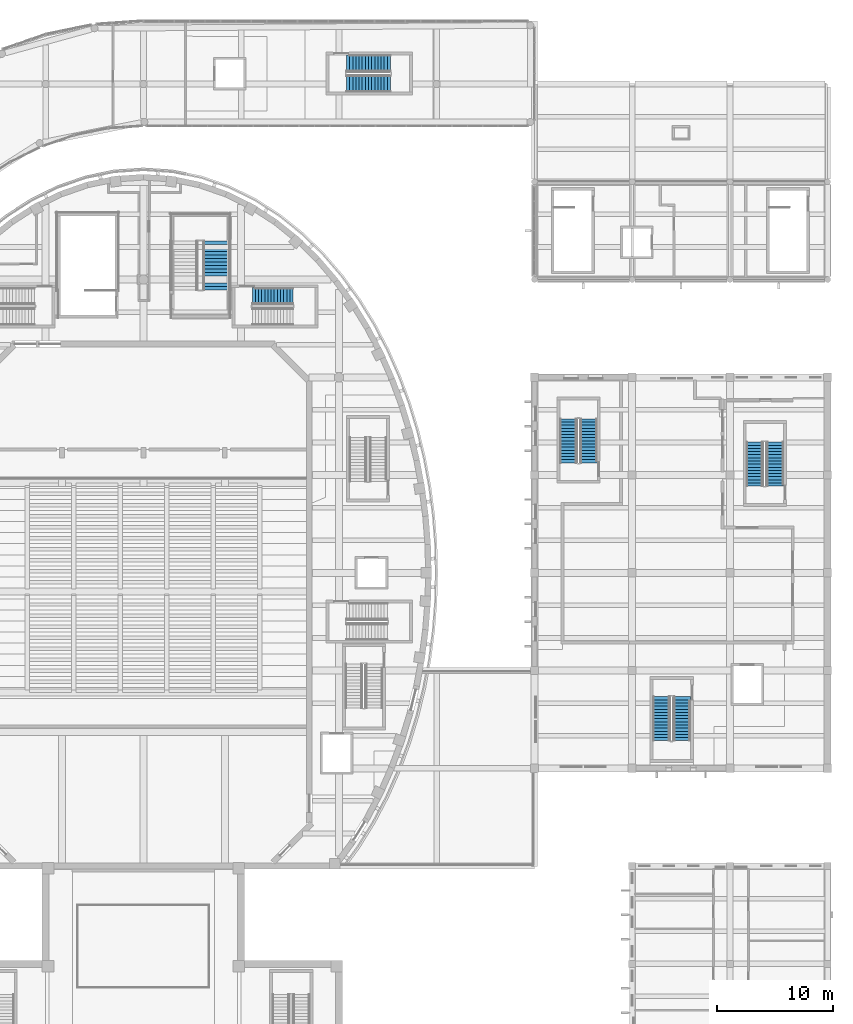
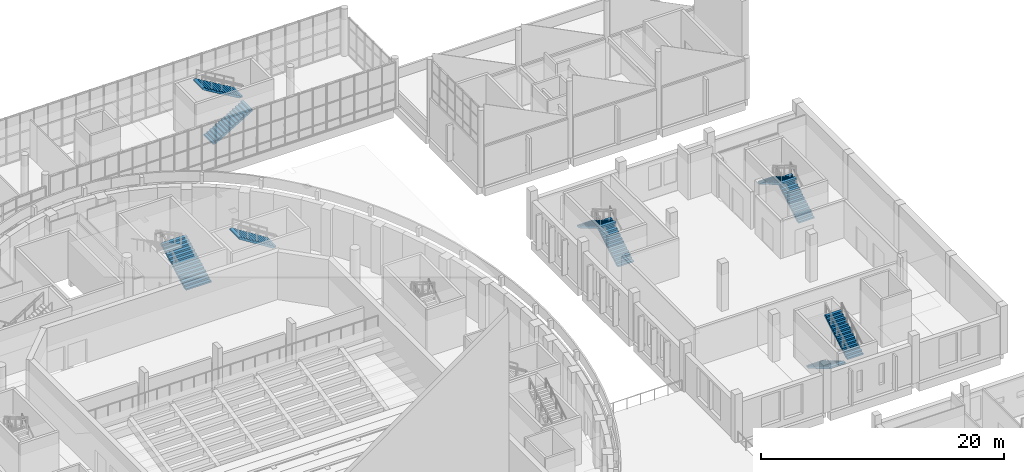
# One storey, part 74 of 119: 10 stair flights, 6 elements without a shape of their own.
"""IFC4 building model written with IfcOpenShell, lengths in metres."""

from ifc_helpers import new_model, si_unit, direction, frame, origin, place, context, subcontext, project, spatial, polyline, outline, extrude, material, type_object, element, aggregate, save


model = new_model("IFC4")

# Units and contexts
model_context = context("Model", 3, precision=1e-05, world=origin(), true_north=direction((0.0, 1.0)))
body_context = subcontext(model_context, "Body", "Model", "MODEL_VIEW")
ifc_project = project(units=[si_unit("LENGTHUNIT", "METRE"), si_unit("AREAUNIT", "SQUARE_METRE"), si_unit("VOLUMEUNIT", "CUBIC_METRE"), si_unit("PLANEANGLEUNIT", "RADIAN"), si_unit("MASSUNIT", "GRAM", prefix="KILO")], contexts=[model_context])

# Site, building, storey
site_placement = place(None, origin())
site = spatial("IfcSite", under=ifc_project, at=site_placement, CompositionType="ELEMENT")
building_placement = place(site_placement, origin())
building = spatial("IfcBuilding", under=site, at=building_placement, Name="Larchfold Concert Hall", CompositionType="ELEMENT")
storey_placement = place(building_placement, frame((0.0, 0.0, 4.800048828125)))
storey = spatial("IfcBuildingStorey", under=building, at=storey_placement, Name="L01", CompositionType="ELEMENT", Elevation=4.800048828125)

# Stair, stair flights
ifc_material_1 = material(Name="Concrete C35/45", Category="concrete")
stair_type_1 = type_object("IfcStairType", Name="Stair RC half-turn enclosed", PredefinedType="HALF_TURN_STAIR", material=ifc_material_1)
stair_1_placement = place(storey_placement, origin())
stair_1 = element("IfcStair", 1, at=stair_1_placement, inside=storey, type_object=stair_type_1, Name="Stair CH1", PredefinedType="HALF_TURN_STAIR")
ifc_material_2 = material(Name="Concrete C35/45", Category="concrete")
stair_flight_type_1 = type_object("IfcStairFlightType", Name="Stair flight RC 1500 x 160.0", PredefinedType="STRAIGHT", material=ifc_material_2)
stair_flight_1_placement = place(storey_placement, frame((87.14990234375, 73.949951171875, 0.0), z_axis=(0.0, 0.0, 1.0), x_axis=(0.0, -1.0, 0.0)))
stair_flight_1 = element("IfcStairFlight", 2, at=stair_flight_1_placement, type_object=stair_flight_type_1, Name="ST16 flight 1", NumberOfRisers=15, NumberOfTreads=14, PredefinedType="STRAIGHT", RiserHeight=0.16, TreadLength=0.27, context=body_context, shape_type="SweptSolid", body=[
    extrude(outline(polyline([(0.0, 0.0), (0.0, 0.159912109375), (0.27001953125, 0.159912109375), (0.27001953125, 0.320068359375), (0.5400390625, 0.320068359375), (0.5400390625, 0.47998046875), (0.81005859375, 0.47998046875), (0.81005859375, 0.639892578125), (1.080078125, 0.639892578125), (1.080078125, 0.800048828125), (1.35009765625, 0.800048828125), (1.35009765625, 0.9599609375), (1.6201171875, 0.9599609375), (1.6201171875, 1.1201171875), (1.889892578125, 1.1201171875), (1.889892578125, 1.280029296875), (2.159912109375, 1.280029296875), (2.159912109375, 1.43994140625), (2.429931640625, 1.43994140625), (2.429931640625, 1.60009765625), (2.699951171875, 1.60009765625), (2.699951171875, 1.760009765625), (2.969970703125, 1.760009765625), (2.969970703125, 1.919921875), (3.239990234375, 1.919921875), (3.239990234375, 2.080078125), (3.510009765625, 2.080078125), (3.510009765625, 2.239990234375), (3.780029296875, 2.239990234375), (3.780029296875, 2.39990234375), (3.780029296875, 2.065673828125), (0.2939453125, 0.0), (0.0, 0.0)])), frame((0.0, 0.75, 0.0), z_axis=(0.0, -1.0, 0.0), x_axis=(1.0, 0.0, 0.0)), (0.0, 0.0, 1.0), 1.5),
])
stair_flight_2_placement = place(storey_placement, frame((88.849853515625, 70.169921875, 2.39990234375), z_axis=(0.0, 0.0, 1.0), x_axis=(0.0, 1.0, 0.0)))
stair_flight_2 = element("IfcStairFlight", 3, at=stair_flight_2_placement, type_object=stair_flight_type_1, Name="ST16 flight 2", NumberOfRisers=15, NumberOfTreads=14, PredefinedType="STRAIGHT", RiserHeight=0.16, TreadLength=0.27, context=body_context, shape_type="SweptSolid", body=[
    extrude(outline(polyline([(0.0, 0.0), (0.0, 0.159912109375), (0.27001953125, 0.159912109375), (0.27001953125, 0.320068359375), (0.5400390625, 0.320068359375), (0.5400390625, 0.47998046875), (0.81005859375, 0.47998046875), (0.81005859375, 0.639892578125), (1.080078125, 0.639892578125), (1.080078125, 0.800048828125), (1.35009765625, 0.800048828125), (1.35009765625, 0.9599609375), (1.6201171875, 0.9599609375), (1.6201171875, 1.1201171875), (1.889892578125, 1.1201171875), (1.889892578125, 1.280029296875), (2.159912109375, 1.280029296875), (2.159912109375, 1.43994140625), (2.429931640625, 1.43994140625), (2.429931640625, 1.60009765625), (2.699951171875, 1.60009765625), (2.699951171875, 1.760009765625), (2.969970703125, 1.760009765625), (2.969970703125, 1.919921875), (3.239990234375, 1.919921875), (3.239990234375, 2.080078125), (3.510009765625, 2.080078125), (3.510009765625, 2.239990234375), (3.780029296875, 2.239990234375), (3.780029296875, 2.39990234375), (3.780029296875, 2.065673828125), (0.2939453125, 0.0), (0.0, 0.0)])), frame((0.0, 0.75, 0.0), z_axis=(0.0, -1.0, 0.0), x_axis=(1.0, 0.0, 0.0)), (0.0, 0.0, 1.0), 1.5),
])
aggregate(stair_1, [stair_flight_1, stair_flight_2])

stair_2_placement = place(storey_placement, origin())
stair_2 = element("IfcStair", 4, at=stair_2_placement, inside=storey, type_object=stair_type_1, Name="Stair CH2", PredefinedType="HALF_TURN_STAIR")
stair_flight_3_placement = place(storey_placement, frame((80.85009765625, 94.050048828125, 0.0), z_axis=(0.0, 0.0, 1.0), x_axis=(0.0, 1.0, 0.0)))
stair_flight_3 = element("IfcStairFlight", 5, at=stair_flight_3_placement, type_object=stair_flight_type_1, Name="ST17 flight 1", NumberOfRisers=15, NumberOfTreads=14, PredefinedType="STRAIGHT", RiserHeight=0.16, TreadLength=0.27, context=body_context, shape_type="SweptSolid", body=[
    extrude(outline(polyline([(0.0, 0.0), (0.0, 0.159912109375), (0.27001953125, 0.159912109375), (0.27001953125, 0.320068359375), (0.5400390625, 0.320068359375), (0.5400390625, 0.47998046875), (0.81005859375, 0.47998046875), (0.81005859375, 0.639892578125), (1.080078125, 0.639892578125), (1.080078125, 0.800048828125), (1.35009765625, 0.800048828125), (1.35009765625, 0.9599609375), (1.6201171875, 0.9599609375), (1.6201171875, 1.1201171875), (1.889892578125, 1.1201171875), (1.889892578125, 1.280029296875), (2.159912109375, 1.280029296875), (2.159912109375, 1.43994140625), (2.429931640625, 1.43994140625), (2.429931640625, 1.60009765625), (2.699951171875, 1.60009765625), (2.699951171875, 1.760009765625), (2.969970703125, 1.760009765625), (2.969970703125, 1.919921875), (3.239990234375, 1.919921875), (3.239990234375, 2.080078125), (3.510009765625, 2.080078125), (3.510009765625, 2.239990234375), (3.780029296875, 2.239990234375), (3.780029296875, 2.39990234375), (3.780029296875, 2.065673828125), (0.2939453125, 0.0), (0.0, 0.0)])), frame((0.0, 0.75, 0.0), z_axis=(0.0, -1.0, 0.0), x_axis=(1.0, 0.0, 0.0)), (0.0, 0.0, 1.0), 1.5),
])
stair_flight_4_placement = place(storey_placement, frame((79.150146484375, 97.830078125, 2.39990234375), z_axis=(0.0, 0.0, 1.0), x_axis=(0.0, -1.0, 0.0)))
stair_flight_4 = element("IfcStairFlight", 6, at=stair_flight_4_placement, type_object=stair_flight_type_1, Name="ST17 flight 2", NumberOfRisers=15, NumberOfTreads=14, PredefinedType="STRAIGHT", RiserHeight=0.16, TreadLength=0.27, context=body_context, shape_type="SweptSolid", body=[
    extrude(outline(polyline([(0.0, 0.0), (0.0, 0.159912109375), (0.27001953125, 0.159912109375), (0.27001953125, 0.320068359375), (0.5400390625, 0.320068359375), (0.5400390625, 0.47998046875), (0.81005859375, 0.47998046875), (0.81005859375, 0.639892578125), (1.080078125, 0.639892578125), (1.080078125, 0.800048828125), (1.35009765625, 0.800048828125), (1.35009765625, 0.9599609375), (1.6201171875, 0.9599609375), (1.6201171875, 1.1201171875), (1.889892578125, 1.1201171875), (1.889892578125, 1.280029296875), (2.159912109375, 1.280029296875), (2.159912109375, 1.43994140625), (2.429931640625, 1.43994140625), (2.429931640625, 1.60009765625), (2.699951171875, 1.60009765625), (2.699951171875, 1.760009765625), (2.969970703125, 1.760009765625), (2.969970703125, 1.919921875), (3.239990234375, 1.919921875), (3.239990234375, 2.080078125), (3.510009765625, 2.080078125), (3.510009765625, 2.239990234375), (3.780029296875, 2.239990234375), (3.780029296875, 2.39990234375), (3.780029296875, 2.065673828125), (0.2939453125, 0.0), (0.0, 0.0)])), frame((0.0, 0.75, 0.0), z_axis=(0.0, -1.0, 0.0), x_axis=(1.0, 0.0, 0.0)), (0.0, 0.0, 1.0), 1.5),
])
aggregate(stair_2, [stair_flight_3, stair_flight_4])

stair_3_placement = place(storey_placement, origin())
stair_3 = element("IfcStair", 7, at=stair_3_placement, inside=storey, type_object=stair_type_1, Name="Stair CH3", PredefinedType="HALF_TURN_STAIR")
stair_flight_5_placement = place(storey_placement, frame((96.85009765625, 92.050048828125, 0.0), z_axis=(0.0, 0.0, 1.0), x_axis=(0.0, 1.0, 0.0)))
stair_flight_5 = element("IfcStairFlight", 8, at=stair_flight_5_placement, type_object=stair_flight_type_1, Name="ST18 flight 1", NumberOfRisers=15, NumberOfTreads=14, PredefinedType="STRAIGHT", RiserHeight=0.16, TreadLength=0.27, context=body_context, shape_type="SweptSolid", body=[
    extrude(outline(polyline([(0.0, 0.0), (0.0, 0.159912109375), (0.27001953125, 0.159912109375), (0.27001953125, 0.320068359375), (0.5400390625, 0.320068359375), (0.5400390625, 0.47998046875), (0.81005859375, 0.47998046875), (0.81005859375, 0.639892578125), (1.080078125, 0.639892578125), (1.080078125, 0.800048828125), (1.35009765625, 0.800048828125), (1.35009765625, 0.9599609375), (1.6201171875, 0.9599609375), (1.6201171875, 1.1201171875), (1.889892578125, 1.1201171875), (1.889892578125, 1.280029296875), (2.159912109375, 1.280029296875), (2.159912109375, 1.43994140625), (2.429931640625, 1.43994140625), (2.429931640625, 1.60009765625), (2.699951171875, 1.60009765625), (2.699951171875, 1.760009765625), (2.969970703125, 1.760009765625), (2.969970703125, 1.919921875), (3.239990234375, 1.919921875), (3.239990234375, 2.080078125), (3.510009765625, 2.080078125), (3.510009765625, 2.239990234375), (3.780029296875, 2.239990234375), (3.780029296875, 2.39990234375), (3.780029296875, 2.065673828125), (0.2939453125, 0.0), (0.0, 0.0)])), frame((0.0, 0.75, 0.0), z_axis=(0.0, -1.0, 0.0), x_axis=(1.0, 0.0, 0.0)), (0.0, 0.0, 1.0), 1.5),
])
stair_flight_6_placement = place(storey_placement, frame((95.150146484375, 95.830078125, 2.39990234375), z_axis=(0.0, 0.0, 1.0), x_axis=(0.0, -1.0, 0.0)))
stair_flight_6 = element("IfcStairFlight", 9, at=stair_flight_6_placement, type_object=stair_flight_type_1, Name="ST18 flight 2", NumberOfRisers=15, NumberOfTreads=14, PredefinedType="STRAIGHT", RiserHeight=0.16, TreadLength=0.27, context=body_context, shape_type="SweptSolid", body=[
    extrude(outline(polyline([(0.0, 0.0), (0.0, 0.159912109375), (0.27001953125, 0.159912109375), (0.27001953125, 0.320068359375), (0.5400390625, 0.320068359375), (0.5400390625, 0.47998046875), (0.81005859375, 0.47998046875), (0.81005859375, 0.639892578125), (1.080078125, 0.639892578125), (1.080078125, 0.800048828125), (1.35009765625, 0.800048828125), (1.35009765625, 0.9599609375), (1.6201171875, 0.9599609375), (1.6201171875, 1.1201171875), (1.889892578125, 1.1201171875), (1.889892578125, 1.280029296875), (2.159912109375, 1.280029296875), (2.159912109375, 1.43994140625), (2.429931640625, 1.43994140625), (2.429931640625, 1.60009765625), (2.699951171875, 1.60009765625), (2.699951171875, 1.760009765625), (2.969970703125, 1.760009765625), (2.969970703125, 1.919921875), (3.239990234375, 1.919921875), (3.239990234375, 2.080078125), (3.510009765625, 2.080078125), (3.510009765625, 2.239990234375), (3.780029296875, 2.239990234375), (3.780029296875, 2.39990234375), (3.780029296875, 2.065673828125), (0.2939453125, 0.0), (0.0, 0.0)])), frame((0.0, 0.75, 0.0), z_axis=(0.0, -1.0, 0.0), x_axis=(1.0, 0.0, 0.0)), (0.0, 0.0, 1.0), 1.5),
])
aggregate(stair_3, [stair_flight_5, stair_flight_6])

stair_4_placement = place(storey_placement, origin())
stair_4 = element("IfcStair", 10, at=stair_4_placement, inside=storey, type_object=stair_type_1, Name="Stair WG4", PredefinedType="HALF_TURN_STAIR")
stair_flight_7_placement = place(storey_placement, frame((60.050048828125, 126.64990234375, 0.0), z_axis=(0.0, 0.0, 1.0), x_axis=(1.0, 0.0, 0.0)))
stair_flight_7 = element("IfcStairFlight", 11, at=stair_flight_7_placement, type_object=stair_flight_type_1, Name="ST26 flight 1", NumberOfRisers=15, NumberOfTreads=14, PredefinedType="STRAIGHT", RiserHeight=0.16, TreadLength=0.27, context=body_context, shape_type="SweptSolid", body=[
    extrude(outline(polyline([(0.0, 0.0), (0.0, 0.159912109375), (0.27001953125, 0.159912109375), (0.27001953125, 0.320068359375), (0.5400390625, 0.320068359375), (0.5400390625, 0.47998046875), (0.81005859375, 0.47998046875), (0.81005859375, 0.639892578125), (1.080078125, 0.639892578125), (1.080078125, 0.800048828125), (1.35009765625, 0.800048828125), (1.35009765625, 0.9599609375), (1.6201171875, 0.9599609375), (1.6201171875, 1.1201171875), (1.889892578125, 1.1201171875), (1.889892578125, 1.280029296875), (2.159912109375, 1.280029296875), (2.159912109375, 1.43994140625), (2.429931640625, 1.43994140625), (2.429931640625, 1.60009765625), (2.699951171875, 1.60009765625), (2.699951171875, 1.760009765625), (2.969970703125, 1.760009765625), (2.969970703125, 1.919921875), (3.239990234375, 1.919921875), (3.239990234375, 2.080078125), (3.510009765625, 2.080078125), (3.510009765625, 2.239990234375), (3.780029296875, 2.239990234375), (3.780029296875, 2.39990234375), (3.780029296875, 2.065673828125), (0.2939453125, 0.0), (0.0, 0.0)])), frame((0.0, 0.75, 0.0), z_axis=(0.0, -1.0, 0.0), x_axis=(1.0, 0.0, 0.0)), (0.0, 0.0, 1.0), 1.5),
])
stair_flight_8_placement = place(storey_placement, frame((63.830078125, 128.349853515625, 2.39990234375), z_axis=(0.0, 0.0, 1.0), x_axis=(-1.0, 0.0, 0.0)))
stair_flight_8 = element("IfcStairFlight", 12, at=stair_flight_8_placement, type_object=stair_flight_type_1, Name="ST26 flight 2", NumberOfRisers=15, NumberOfTreads=14, PredefinedType="STRAIGHT", RiserHeight=0.16, TreadLength=0.27, context=body_context, shape_type="SweptSolid", body=[
    extrude(outline(polyline([(0.0, 0.0), (0.0, 0.159912109375), (0.27001953125, 0.159912109375), (0.27001953125, 0.320068359375), (0.5400390625, 0.320068359375), (0.5400390625, 0.47998046875), (0.81005859375, 0.47998046875), (0.81005859375, 0.639892578125), (1.080078125, 0.639892578125), (1.080078125, 0.800048828125), (1.35009765625, 0.800048828125), (1.35009765625, 0.9599609375), (1.6201171875, 0.9599609375), (1.6201171875, 1.1201171875), (1.889892578125, 1.1201171875), (1.889892578125, 1.280029296875), (2.159912109375, 1.280029296875), (2.159912109375, 1.43994140625), (2.429931640625, 1.43994140625), (2.429931640625, 1.60009765625), (2.699951171875, 1.60009765625), (2.699951171875, 1.760009765625), (2.969970703125, 1.760009765625), (2.969970703125, 1.919921875), (3.239990234375, 1.919921875), (3.239990234375, 2.080078125), (3.510009765625, 2.080078125), (3.510009765625, 2.239990234375), (3.780029296875, 2.239990234375), (3.780029296875, 2.39990234375), (3.780029296875, 2.065673828125), (0.2939453125, 0.0), (0.0, 0.0)])), frame((0.0, 0.75, 0.0), z_axis=(0.0, -1.0, 0.0), x_axis=(1.0, 0.0, 0.0)), (0.0, 0.0, 1.0), 1.5),
])
aggregate(stair_4, [stair_flight_7, stair_flight_8])

# Stair, stair flight
stair_5_placement = place(storey_placement, origin())
stair_5 = element("IfcStair", 13, at=stair_5_placement, inside=storey, type_object=stair_type_1, Name="Stair DS2", PredefinedType="HALF_TURN_STAIR")
ifc_material_3 = material(Name="Concrete C35/45", Category="concrete")
stair_flight_type_2 = type_object("IfcStairFlightType", Name="Stair flight RC 1500 x 171.4", PredefinedType="STRAIGHT", material=ifc_material_3)
stair_flight_9_placement = place(storey_placement, frame((55.4599609375, 108.349853515625, 2.39990234375), z_axis=(0.0, 0.0, 1.0), x_axis=(-1.0, 0.0, 0.0)))
stair_flight_9 = element("IfcStairFlight", 14, at=stair_flight_9_placement, type_object=stair_flight_type_2, Name="ST02 flight 2", NumberOfRisers=14, NumberOfTreads=13, PredefinedType="STRAIGHT", RiserHeight=0.171428571, TreadLength=0.27, context=body_context, shape_type="SweptSolid", body=[
    extrude(outline(polyline([(0.0, 0.0), (0.0, 0.17138671875), (0.27001953125, 0.17138671875), (0.27001953125, 0.3427734375), (0.5400390625, 0.3427734375), (0.5400390625, 0.514404296875), (0.81005859375, 0.514404296875), (0.81005859375, 0.685791015625), (1.080078125, 0.685791015625), (1.080078125, 0.857177734375), (1.35009765625, 0.857177734375), (1.35009765625, 1.028564453125), (1.6201171875, 1.028564453125), (1.6201171875, 1.199951171875), (1.889892578125, 1.199951171875), (1.889892578125, 1.371337890625), (2.159912109375, 1.371337890625), (2.159912109375, 1.54296875), (2.429931640625, 1.54296875), (2.429931640625, 1.71435546875), (2.699951171875, 1.71435546875), (2.699951171875, 1.8857421875), (2.969970703125, 1.8857421875), (2.969970703125, 2.05712890625), (3.239990234375, 2.05712890625), (3.239990234375, 2.228515625), (3.510009765625, 2.228515625), (3.510009765625, 2.39990234375), (3.510009765625, 2.051025390625), (0.27978515625, 0.0), (0.0, 0.0)])), frame((0.0, 0.75, 0.0), z_axis=(0.0, -1.0, 0.0), x_axis=(1.0, 0.0, 0.0)), (0.0, 0.0, 1.0), 1.5),
])
aggregate(stair_5, [stair_flight_9])

ifc_material_4 = material(Name="Concrete C35/45", Category="concrete")
stair_type_2 = type_object("IfcStairType", Name="Stair RC half-turn open", PredefinedType="HALF_TURN_STAIR", material=ifc_material_4)
stair_6_placement = place(storey_placement, origin())
stair_6 = element("IfcStair", 15, at=stair_6_placement, inside=storey, type_object=stair_type_2, Name="Stair PS2", PredefinedType="HALF_TURN_STAIR")
ifc_material_5 = material(Name="Concrete C35/45", Category="concrete")
stair_flight_type_3 = type_object("IfcStairFlightType", Name="Stair flight RC 2400 x 160.0", PredefinedType="STRAIGHT", material=ifc_material_5)
stair_flight_10_placement = place(storey_placement, frame((48.900146484375, 108.89990234375, 0.0), z_axis=(0.0, 0.0, 1.0), x_axis=(0.0, 1.0, 0.0)))
stair_flight_10 = element("IfcStairFlight", 16, at=stair_flight_10_placement, type_object=stair_flight_type_3, Name="ST28 flight 1", NumberOfRisers=15, NumberOfTreads=14, PredefinedType="STRAIGHT", RiserHeight=0.16, TreadLength=0.3, context=body_context, shape_type="SweptSolid", body=[
    extrude(outline(polyline([(0.0, 0.0), (0.0, 0.159912109375), (0.300048828125, 0.159912109375), (0.300048828125, 0.320068359375), (0.60009765625, 0.320068359375), (0.60009765625, 0.47998046875), (0.89990234375, 0.47998046875), (0.89990234375, 0.639892578125), (1.199951171875, 0.639892578125), (1.199951171875, 0.800048828125), (1.5, 0.800048828125), (1.5, 0.9599609375), (1.800048828125, 0.9599609375), (1.800048828125, 1.1201171875), (2.10009765625, 1.1201171875), (2.10009765625, 1.280029296875), (2.39990234375, 1.280029296875), (2.39990234375, 1.43994140625), (2.699951171875, 1.43994140625), (2.699951171875, 1.60009765625), (3.0, 1.60009765625), (3.0, 1.760009765625), (3.300048828125, 1.760009765625), (3.300048828125, 1.919921875), (3.60009765625, 1.919921875), (3.60009765625, 2.080078125), (3.89990234375, 2.080078125), (3.89990234375, 2.239990234375), (4.199951171875, 2.239990234375), (4.199951171875, 2.39990234375), (4.199951171875, 2.070068359375), (0.318603515625, 0.0), (0.0, 0.0)])), frame((0.0, 1.199951171875, 0.0), z_axis=(0.0, -1.0, 0.0), x_axis=(1.0, 0.0, 0.0)), (0.0, 0.0, 1.0), 2.39990234375),
])
aggregate(stair_6, [stair_flight_10])

save(model, "model.ifc")
